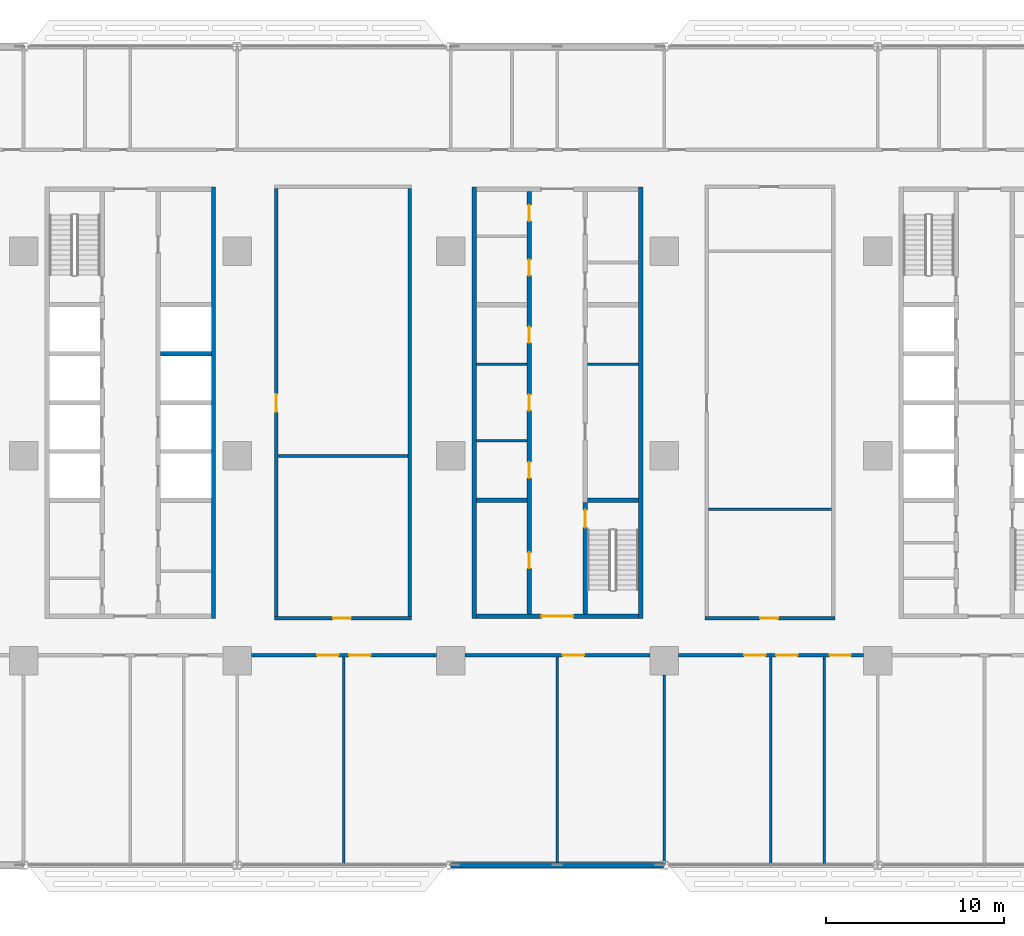
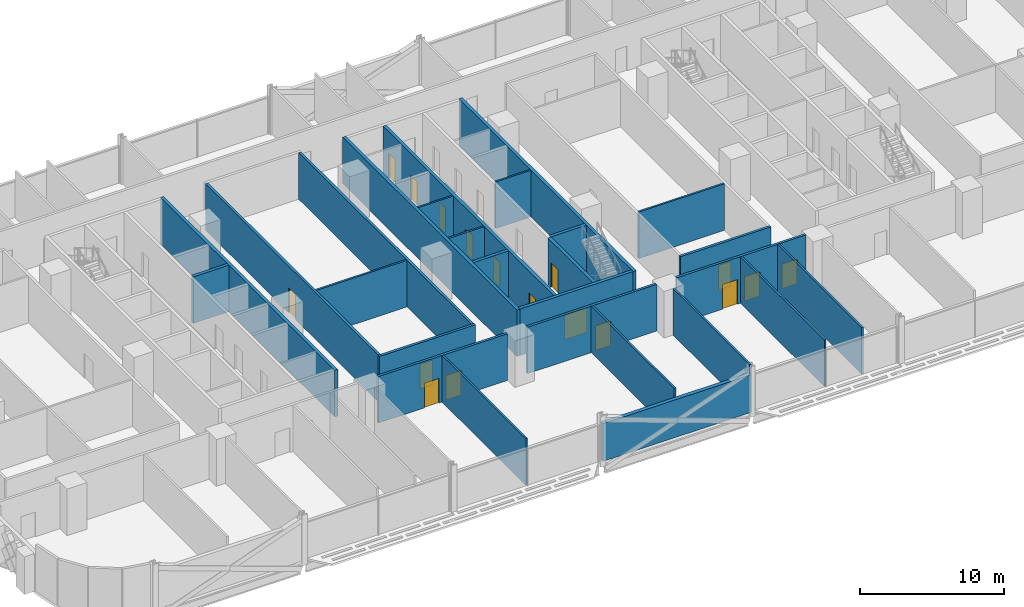
# One storey, part 11 of 29: 27 walls, 17 doors, 17 openings.
"""IFC4 building model written with IfcOpenShell, lengths in metres."""

from ifc_helpers import new_model, si_unit, direction, frame, frame_2d, origin, place, context, subcontext, project, spatial, rectangle, extrude, material, layer, layer_set, type_object, element, fill, save


model = new_model("IFC4")

# Units and contexts
model_context = context("Model", 3, precision=1e-05, world=origin(), true_north=direction((0.0, 1.0)))
body_context = subcontext(model_context, "Body", "Model", "MODEL_VIEW")
ifc_project = project(units=[si_unit("LENGTHUNIT", "METRE"), si_unit("AREAUNIT", "SQUARE_METRE"), si_unit("VOLUMEUNIT", "CUBIC_METRE"), si_unit("PLANEANGLEUNIT", "RADIAN"), si_unit("MASSUNIT", "GRAM", prefix="KILO")], contexts=[model_context])

# Site, building, storey
site_placement = place(None, origin())
site = spatial("IfcSite", under=ifc_project, at=site_placement, CompositionType="ELEMENT")
building_placement = place(site_placement, origin())
building = spatial("IfcBuilding", under=site, at=building_placement, Name="Mahtab Terrace Research Tower", CompositionType="ELEMENT")
storey_placement = place(building_placement, frame((0.0, 0.0, 20.10009765625)))
storey = spatial("IfcBuildingStorey", under=building, at=storey_placement, Name="L04", CompositionType="ELEMENT", Elevation=20.10009765625)

# Walls
ifc_material_1 = material(Name="Gypsum board partition")
ifc_layer_1 = layer(ifc_material_1, 0.14990234375)
ifc_layer_set_1 = layer_set([ifc_layer_1], Name="Core partition 150")
wall_type_1 = type_object("IfcWallType", Name="Core partition 150", PredefinedType="PARTITIONING", material=ifc_layer_set_1)
for number, where, z_axis, x_axis, name in (
    (1, (-4.550048828125, 0.85009765625, 0.0), (0.0, 0.0, 1.0), (1.0, 0.0, 0.0), "Core wall B pWL-215"),
    (2, (-4.550048828125, 5.14990234375, 0.0), (0.0, 0.0, 1.0), (1.0, 0.0, 0.0), "Core wall B pWL215"),
    (3, (1.699951171875, 5.14990234375, 0.0), (0.0, 0.0, 1.0), (1.0, 0.0, 0.0), "Core wall B pEL215"),
):
    element("IfcWall", number, at=place(storey_placement, frame(where, z_axis=z_axis, x_axis=x_axis)), inside=storey, type_object=wall_type_1, Name=name, PredefinedType="PARTITIONING", context=body_context, shape_type="SweptSolid", body=[
        extrude(rectangle(XDim=2.85009765625, YDim=0.14990234375, at=frame_2d((1.425048828125, 0.0))), origin(), (0.0, 0.0, 1.0), 3.9599609375),
    ])
ifc_material_2 = material(Name="Concrete C70/85", Category="concrete")
ifc_layer_2 = layer(ifc_material_2, 0.25)
ifc_layer_set_2 = layer_set([ifc_layer_2], Name="Core wall 250")
wall_type_2 = type_object("IfcWallType", Name="Core wall 250", PredefinedType="SOLIDWALL", material=ifc_layer_set_2)
wall_1_placement = place(storey_placement, frame((-19.324951171875, -9.125, 0.0), z_axis=(0.0, 0.0, 1.0), x_axis=(0.0, 1.0, 0.0)))
element("IfcWall", 4, at=wall_1_placement, inside=storey, type_object=wall_type_2, Name="Core wall A outerE", PredefinedType="SOLIDWALL", context=body_context, shape_type="SweptSolid", body=[
    extrude(rectangle(XDim=24.25, YDim=0.25, at=frame_2d((12.125, 0.0))), origin(), (0.0, 0.0, 1.0), 3.9599609375),
])
wall_2_placement = place(storey_placement, frame((-22.300048828125, 5.75, 0.0), z_axis=(0.0, 0.0, 1.0), x_axis=(1.0, 0.0, 0.0)))
element("IfcWall", 5, at=wall_2_placement, inside=storey, type_object=wall_type_2, Name="Core wall A divE3", PredefinedType="SOLIDWALL", context=body_context, shape_type="SweptSolid", body=[
    extrude(rectangle(XDim=2.85009765625, YDim=0.25, at=frame_2d((1.425048828125, 0.0))), origin(), (0.0, 0.0, 1.0), 3.9599609375),
])
for number, where, z_axis, x_axis, name in (
    (6, (-4.675048828125, 15.125, 0.0), (0.0, 0.0, 1.0), (0.0, -1.0, 0.0), "Core wall B outerW"),
    (7, (4.675048828125, -9.125, 0.0), (0.0, 0.0, 1.0), (0.0, 1.0, 0.0), "Core wall B outerE"),
):
    element("IfcWall", number, at=place(storey_placement, frame(where, z_axis=z_axis, x_axis=x_axis)), inside=storey, type_object=wall_type_2, Name=name, PredefinedType="SOLIDWALL", context=body_context, shape_type="SweptSolid", body=[
        extrude(rectangle(XDim=24.25, YDim=0.25, at=frame_2d((12.125, 0.0))), origin(), (0.0, 0.0, 1.0), 3.9599609375),
    ])

# Wall, opening, door
wall_3_placement = place(storey_placement, frame((4.550048828125, -9.0, 0.0), z_axis=(0.0, 0.0, 1.0), x_axis=(-1.0, 0.0, 0.0)))
wall_3 = element("IfcWall", 8, at=wall_3_placement, inside=storey, type_object=wall_type_2, Name="Core wall B endS", PredefinedType="SOLIDWALL", context=body_context, shape_type="SweptSolid", body=[
    extrude(rectangle(XDim=9.10009765625, YDim=0.25, at=frame_2d((4.550048828125, 0.0))), origin(), (0.0, 0.0, 1.0), 3.9599609375),
])
opening_1_placement = place(wall_3_placement, frame((3.64990234375, 0.0, 0.0)))
opening_1 = element("IfcOpeningElement", 9, at=opening_1_placement, cuts=wall_3, Name="Opening B-S1", PredefinedType="OPENING", context=body_context, shape_type="SweptSolid", body=[
    extrude(rectangle(XDim=1.800048828125, YDim=2.10009765625, at=frame_2d((0.89990234375, 1.050048828125))), frame((0.0, 0.135009765625, 0.0), z_axis=(0.0, -1.0, 0.0), x_axis=(1.0, 0.0, 0.0)), (0.0, 0.0, 1.0), 0.27001953125),
])
ifc_material_3 = material(Name="Steel fire door", Category="steel")
door_type_1 = type_object("IfcDoorType", Name="Lobby double door 1800x2100 1 HR", OperationType="DOUBLE_DOOR_SINGLE_SWING", PredefinedType="DOOR", material=ifc_material_3)
door_1_placement = place(opening_1_placement, origin())
door_1 = element("IfcDoor", 10, at=door_1_placement, inside=storey, type_object=door_type_1, Name="Core entrance door B S", OperationType="DOUBLE_DOOR_SINGLE_SWING", OverallHeight=2.10009765625, OverallWidth=1.800048828125, PredefinedType="DOOR", context=body_context, shape_type="SweptSolid", body=[
    extrude(rectangle(XDim=1.800048828125, YDim=2.10009765625, at=frame_2d((0.89990234375, 1.050048828125))), frame((0.0, 0.02490234375, 0.0), z_axis=(0.0, -1.0, 0.0), x_axis=(1.0, 0.0, 0.0)), (0.0, 0.0, 1.0), 0.050048828125),
])
fill(opening_1, door_1)

# Wall, openings, doors
wall_4_placement = place(storey_placement, frame((-1.574951171875, -8.875, 0.0), z_axis=(0.0, 0.0, 1.0), x_axis=(0.0, 1.0, 0.0)))
wall_4 = element("IfcWall", 11, at=wall_4_placement, inside=storey, type_object=wall_type_2, Name="Core wall B innerWSLN", PredefinedType="SOLIDWALL", context=body_context, shape_type="SweptSolid", body=[
    extrude(rectangle(XDim=23.75, YDim=0.25, at=frame_2d((11.875, 0.0))), origin(), (0.0, 0.0, 1.0), 3.9599609375),
])
opening_2_placement = place(wall_4_placement, frame((7.625, 0.0, 0.0)))
opening_2 = element("IfcOpeningElement", 12, at=opening_2_placement, cuts=wall_4, Name="Opening B-R1", PredefinedType="OPENING", context=body_context, shape_type="SweptSolid", body=[
    extrude(rectangle(XDim=0.89990234375, YDim=2.10009765625, at=frame_2d((0.449951171875, 1.050048828125))), frame((0.0, 0.135009765625, 0.0), z_axis=(0.0, -1.0, 0.0), x_axis=(1.0, 0.0, 0.0)), (0.0, 0.0, 1.0), 0.27001953125),
])
opening_3_placement = place(wall_4_placement, frame((11.425048828125, 0.0, 0.0)))
opening_3 = element("IfcOpeningElement", 13, at=opening_3_placement, cuts=wall_4, Name="Opening B-R2", PredefinedType="OPENING", context=body_context, shape_type="SweptSolid", body=[
    extrude(rectangle(XDim=0.89990234375, YDim=2.10009765625, at=frame_2d((0.449951171875, 1.050048828125))), frame((0.0, 0.135009765625, 0.0), z_axis=(0.0, -1.0, 0.0), x_axis=(1.0, 0.0, 0.0)), (0.0, 0.0, 1.0), 0.27001953125),
])
opening_4_placement = place(wall_4_placement, frame((15.22509765625, 0.0, 0.0)))
opening_4 = element("IfcOpeningElement", 14, at=opening_4_placement, cuts=wall_4, Name="Opening B-R3", PredefinedType="OPENING", context=body_context, shape_type="SweptSolid", body=[
    extrude(rectangle(XDim=0.89990234375, YDim=2.10009765625, at=frame_2d((0.449951171875, 1.050048828125))), frame((0.0, 0.135009765625, 0.0), z_axis=(0.0, -1.0, 0.0), x_axis=(1.0, 0.0, 0.0)), (0.0, 0.0, 1.0), 0.27001953125),
])
opening_5_placement = place(wall_4_placement, frame((2.550048828125, 0.0, 0.0)))
opening_5 = element("IfcOpeningElement", 15, at=opening_5_placement, cuts=wall_4, Name="Opening B-R6", PredefinedType="OPENING", context=body_context, shape_type="SweptSolid", body=[
    extrude(rectangle(XDim=0.89990234375, YDim=2.10009765625, at=frame_2d((0.449951171875, 1.050048828125))), frame((0.0, 0.135009765625, 0.0), z_axis=(0.0, -1.0, 0.0), x_axis=(1.0, 0.0, 0.0)), (0.0, 0.0, 1.0), 0.27001953125),
])
opening_6_placement = place(wall_4_placement, frame((19.00244140625, 0.0, 0.0)))
opening_6 = element("IfcOpeningElement", 16, at=opening_6_placement, cuts=wall_4, Name="Opening B-R7", PredefinedType="OPENING", context=body_context, shape_type="SweptSolid", body=[
    extrude(rectangle(XDim=0.89990234375, YDim=2.10009765625, at=frame_2d((0.449951171875, 1.050048828125))), frame((0.0, 0.135009765625, 0.0), z_axis=(0.0, -1.0, 0.0), x_axis=(1.0, 0.0, 0.0)), (0.0, 0.0, 1.0), 0.27001953125),
])
opening_7_placement = place(wall_4_placement, frame((22.077392578125, 0.0, 0.0)))
opening_7 = element("IfcOpeningElement", 17, at=opening_7_placement, cuts=wall_4, Name="Opening B-R8", PredefinedType="OPENING", context=body_context, shape_type="SweptSolid", body=[
    extrude(rectangle(XDim=0.89990234375, YDim=2.10009765625, at=frame_2d((0.449951171875, 1.050048828125))), frame((0.0, 0.135009765625, 0.0), z_axis=(0.0, -1.0, 0.0), x_axis=(1.0, 0.0, 0.0)), (0.0, 0.0, 1.0), 0.27001953125),
])
door_type_2 = type_object("IfcDoorType", Name="Room door 900x2100 1 HR", OperationType="NOTDEFINED", PredefinedType="DOOR", material=ifc_material_3)
door_2_placement = place(opening_2_placement, origin())
door_2 = element("IfcDoor", 18, at=door_2_placement, inside=storey, type_object=door_type_2, Name="Electrical room door", OperationType="SINGLE_SWING_LEFT", OverallHeight=2.10009765625, OverallWidth=0.89990234375, PredefinedType="DOOR", context=body_context, shape_type="SweptSolid", body=[
    extrude(rectangle(XDim=0.89990234375, YDim=2.10009765625, at=frame_2d((0.449951171875, 1.050048828125))), frame((0.0, 0.02490234375, 0.0), z_axis=(0.0, -1.0, 0.0), x_axis=(1.0, 0.0, 0.0)), (0.0, 0.0, 1.0), 0.050048828125),
])
fill(opening_2, door_2)
door_3_placement = place(opening_3_placement, origin())
door_3 = element("IfcDoor", 19, at=door_3_placement, inside=storey, type_object=door_type_2, Name="Pantry door", OperationType="SINGLE_SWING_RIGHT", OverallHeight=2.10009765625, OverallWidth=0.89990234375, PredefinedType="DOOR", context=body_context, shape_type="SweptSolid", body=[
    extrude(rectangle(XDim=0.89990234375, YDim=2.10009765625, at=frame_2d((0.449951171875, 1.050048828125))), frame((0.0, 0.02490234375, 0.0), z_axis=(0.0, -1.0, 0.0), x_axis=(1.0, 0.0, 0.0)), (0.0, 0.0, 1.0), 0.050048828125),
])
fill(opening_3, door_3)
door_4_placement = place(opening_4_placement, origin())
door_4 = element("IfcDoor", 20, at=door_4_placement, inside=storey, type_object=door_type_2, Name="Housekeeping store door", OperationType="SINGLE_SWING_LEFT", OverallHeight=2.10009765625, OverallWidth=0.89990234375, PredefinedType="DOOR", context=body_context, shape_type="SweptSolid", body=[
    extrude(rectangle(XDim=0.89990234375, YDim=2.10009765625, at=frame_2d((0.449951171875, 1.050048828125))), frame((0.0, 0.02490234375, 0.0), z_axis=(0.0, -1.0, 0.0), x_axis=(1.0, 0.0, 0.0)), (0.0, 0.0, 1.0), 0.050048828125),
])
fill(opening_4, door_4)
door_5_placement = place(opening_5_placement, origin())
door_5 = element("IfcDoor", 21, at=door_5_placement, inside=storey, type_object=door_type_2, Name="Gas cylinder store door", OperationType="SINGLE_SWING_RIGHT", OverallHeight=2.10009765625, OverallWidth=0.89990234375, PredefinedType="DOOR", context=body_context, shape_type="SweptSolid", body=[
    extrude(rectangle(XDim=0.89990234375, YDim=2.10009765625, at=frame_2d((0.449951171875, 1.050048828125))), frame((0.0, 0.02490234375, 0.0), z_axis=(0.0, -1.0, 0.0), x_axis=(1.0, 0.0, 0.0)), (0.0, 0.0, 1.0), 0.050048828125),
])
fill(opening_5, door_5)
door_6_placement = place(opening_6_placement, origin())
door_6 = element("IfcDoor", 22, at=door_6_placement, inside=storey, type_object=door_type_2, Name="Pantry door", OperationType="SINGLE_SWING_LEFT", OverallHeight=2.10009765625, OverallWidth=0.89990234375, PredefinedType="DOOR", context=body_context, shape_type="SweptSolid", body=[
    extrude(rectangle(XDim=0.89990234375, YDim=2.10009765625, at=frame_2d((0.449951171875, 1.050048828125))), frame((0.0, 0.02490234375, 0.0), z_axis=(0.0, -1.0, 0.0), x_axis=(1.0, 0.0, 0.0)), (0.0, 0.0, 1.0), 0.050048828125),
])
fill(opening_6, door_6)
door_7_placement = place(opening_7_placement, origin())
door_7 = element("IfcDoor", 23, at=door_7_placement, inside=storey, type_object=door_type_2, Name="Linen store door", OperationType="SINGLE_SWING_RIGHT", OverallHeight=2.10009765625, OverallWidth=0.89990234375, PredefinedType="DOOR", context=body_context, shape_type="SweptSolid", body=[
    extrude(rectangle(XDim=0.89990234375, YDim=2.10009765625, at=frame_2d((0.449951171875, 1.050048828125))), frame((0.0, 0.02490234375, 0.0), z_axis=(0.0, -1.0, 0.0), x_axis=(1.0, 0.0, 0.0)), (0.0, 0.0, 1.0), 0.050048828125),
])
fill(opening_7, door_7)

# Wall, opening, door
wall_5_placement = place(storey_placement, frame((1.574951171875, -8.875, 0.0), z_axis=(0.0, 0.0, 1.0), x_axis=(0.0, 1.0, 0.0)))
wall_5 = element("IfcWall", 24, at=wall_5_placement, inside=storey, type_object=wall_type_2, Name="Core wall B innerES", PredefinedType="SOLIDWALL", context=body_context, shape_type="SweptSolid", body=[
    extrude(rectangle(XDim=6.25, YDim=0.25, at=frame_2d((3.125, 0.0))), origin(), (0.0, 0.0, 1.0), 3.9599609375),
])
opening_8_placement = place(wall_5_placement, frame((4.85009765625, 0.0, 0.0)))
opening_8 = element("IfcOpeningElement", 25, at=opening_8_placement, cuts=wall_5, Name="Opening B-ST2", PredefinedType="OPENING", context=body_context, shape_type="SweptSolid", body=[
    extrude(rectangle(XDim=1.0, YDim=2.10009765625, at=frame_2d((0.5, 1.050048828125))), frame((0.0, 0.135009765625, 0.0), z_axis=(0.0, -1.0, 0.0), x_axis=(1.0, 0.0, 0.0)), (0.0, 0.0, 1.0), 0.27001953125),
])
door_type_3 = type_object("IfcDoorType", Name="Stair door 1000x2100 1.5 HR", OperationType="NOTDEFINED", PredefinedType="DOOR", material=ifc_material_3)
door_8_placement = place(opening_8_placement, origin())
door_8 = element("IfcDoor", 26, at=door_8_placement, inside=storey, type_object=door_type_3, Name="Stair door ST2 L04", OperationType="SINGLE_SWING_LEFT", OverallHeight=2.10009765625, OverallWidth=1.0, PredefinedType="DOOR", context=body_context, shape_type="SweptSolid", body=[
    extrude(rectangle(XDim=1.0, YDim=2.10009765625, at=frame_2d((0.5, 1.050048828125))), frame((0.0, 0.02490234375, 0.0), z_axis=(0.0, -1.0, 0.0), x_axis=(1.0, 0.0, 0.0)), (0.0, 0.0, 1.0), 0.050048828125),
])
fill(opening_8, door_8)

# Walls
for number, where, z_axis, x_axis, name in (
    (27, (-4.550048828125, -2.5, 0.0), (0.0, 0.0, 1.0), (1.0, 0.0, 0.0), "Core wall B divW0"),
    (28, (1.699951171875, -2.5, 0.0), (0.0, 0.0, 1.0), (1.0, 0.0, 0.0), "Core wall B divE0"),
):
    element("IfcWall", number, at=place(storey_placement, frame(where, z_axis=z_axis, x_axis=x_axis)), inside=storey, type_object=wall_type_2, Name=name, PredefinedType="SOLIDWALL", context=body_context, shape_type="SweptSolid", body=[
        extrude(rectangle(XDim=2.85009765625, YDim=0.25, at=frame_2d((1.425048828125, 0.0))), origin(), (0.0, 0.0, 1.0), 3.9599609375),
    ])
ifc_material_4 = material(Name="Black aluminium cladding panel", Category="aluminium")
ifc_layer_3 = layer(ifc_material_4, 0.300048828125)
ifc_layer_set_3 = layer_set([ifc_layer_3], Name="Opaque facade wall 300")
wall_type_3 = type_object("IfcWallType", Name="Opaque facade wall 300", PredefinedType="NOTDEFINED", material=ifc_layer_set_3)
wall_6_placement = place(storey_placement, frame((-5.97216796875, -23.0, 0.0), z_axis=(0.0, 0.0, 1.0), x_axis=(1.0, 0.0, 0.0)))
element("IfcWall", 29, at=wall_6_placement, inside=storey, type_object=wall_type_3, Name="Opaque facade wall L04 S25", PredefinedType="NOTDEFINED", context=body_context, shape_type="SweptSolid", body=[
    extrude(rectangle(XDim=11.9443359375, YDim=0.300048828125, at=frame_2d((5.97216796875, 0.0))), origin(), (0.0, 0.0, 1.0), 3.202880859375),
])

# Wall, openings, doors
ifc_material_5 = material(Name="Gypsum board corridor wall on steel studs", Category="steel")
ifc_layer_4 = layer(ifc_material_5, 0.199951171875)
ifc_layer_set_4 = layer_set([ifc_layer_4], Name="WALL CORRIDOR 200")
wall_type_4 = type_object("IfcWallType", Name="WALL CORRIDOR 200", PredefinedType="PARTITIONING", material=ifc_layer_set_4)
wall_7_placement = place(storey_placement, frame((-17.199951171875, -11.199951171875, 0.0), z_axis=(0.0, 0.0, 1.0), x_axis=(1.0, 0.0, 0.0)))
wall_7 = element("IfcWall", 30, at=wall_7_placement, inside=storey, type_object=wall_type_4, Name="L04-W004", PredefinedType="PARTITIONING", context=body_context, shape_type="SweptSolid", body=[
    extrude(rectangle(XDim=10.39990234375, YDim=0.199951171875, at=frame_2d((5.199951171875, 0.0))), origin(), (0.0, 0.0, 1.0), 3.9599609375),
])
opening_9_placement = place(wall_7_placement, frame((3.699951171875, 0.0, 0.0)))
opening_9 = element("IfcOpeningElement", 31, at=opening_9_placement, cuts=wall_7, Name="Opening L04-106", PredefinedType="OPENING", context=body_context, shape_type="SweptSolid", body=[
    extrude(rectangle(XDim=1.199951171875, YDim=2.10009765625, at=frame_2d((0.60009765625, 1.050048828125))), frame((0.0, 0.10986328125, 0.0), z_axis=(0.0, -1.0, 0.0), x_axis=(1.0, 0.0, 0.0)), (0.0, 0.0, 1.0), 0.219970703125),
])
opening_10_placement = place(wall_7_placement, frame((5.5, 0.0, 0.0)))
opening_10 = element("IfcOpeningElement", 32, at=opening_10_placement, cuts=wall_7, Name="Opening L04-107", PredefinedType="OPENING", context=body_context, shape_type="SweptSolid", body=[
    extrude(rectangle(XDim=1.199951171875, YDim=2.10009765625, at=frame_2d((0.60009765625, 1.050048828125))), frame((0.0, 0.10986328125, 0.0), z_axis=(0.0, -1.0, 0.0), x_axis=(1.0, 0.0, 0.0)), (0.0, 0.0, 1.0), 0.219970703125),
])
ifc_material_6 = material(Name="Timber door leaf in steel frame", Category="steel")
door_type_4 = type_object("IfcDoorType", Name="DOOR 1200X2100 FD30S", OperationType="SINGLE_SWING_LEFT", PredefinedType="DOOR", material=ifc_material_6)
door_9_placement = place(opening_9_placement, origin())
door_9 = element("IfcDoor", 33, at=door_9_placement, inside=storey, type_object=door_type_4, Name="Door L04-106", OperationType="SINGLE_SWING_RIGHT", OverallHeight=2.10009765625, OverallWidth=1.199951171875, PredefinedType="DOOR", context=body_context, shape_type="SweptSolid", body=[
    extrude(rectangle(XDim=1.199951171875, YDim=2.10009765625, at=frame_2d((0.60009765625, 1.050048828125))), frame((0.0, 0.02490234375, 0.0), z_axis=(0.0, -1.0, 0.0), x_axis=(1.0, 0.0, 0.0)), (0.0, 0.0, 1.0), 0.050048828125),
])
fill(opening_9, door_9)
door_10_placement = place(opening_10_placement, origin())
door_10 = element("IfcDoor", 34, at=door_10_placement, inside=storey, type_object=door_type_4, Name="Door L04-107", OperationType="SINGLE_SWING_LEFT", OverallHeight=2.10009765625, OverallWidth=1.199951171875, PredefinedType="DOOR", context=body_context, shape_type="SweptSolid", body=[
    extrude(rectangle(XDim=1.199951171875, YDim=2.10009765625, at=frame_2d((0.60009765625, 1.050048828125))), frame((0.0, 0.02490234375, 0.0), z_axis=(0.0, -1.0, 0.0), x_axis=(1.0, 0.0, 0.0)), (0.0, 0.0, 1.0), 0.050048828125),
])
fill(opening_10, door_10)

# Wall, opening, door
wall_8_placement = place(storey_placement, frame((-5.199951171875, -11.199951171875, 0.0), z_axis=(0.0, 0.0, 1.0), x_axis=(1.0, 0.0, 0.0)))
wall_8 = element("IfcWall", 35, at=wall_8_placement, inside=storey, type_object=wall_type_4, Name="L04-W005", PredefinedType="PARTITIONING", context=body_context, shape_type="SweptSolid", body=[
    extrude(rectangle(XDim=10.39990234375, YDim=0.199951171875, at=frame_2d((5.199951171875, 0.0))), origin(), (0.0, 0.0, 1.0), 3.9599609375),
])
opening_11_placement = place(wall_8_placement, frame((5.5, 0.0, 0.0)))
opening_11 = element("IfcOpeningElement", 36, at=opening_11_placement, cuts=wall_8, Name="Opening L04-108", PredefinedType="OPENING", context=body_context, shape_type="SweptSolid", body=[
    extrude(rectangle(XDim=1.199951171875, YDim=2.10009765625, at=frame_2d((0.60009765625, 1.050048828125))), frame((0.0, 0.10986328125, 0.0), z_axis=(0.0, -1.0, 0.0), x_axis=(1.0, 0.0, 0.0)), (0.0, 0.0, 1.0), 0.219970703125),
])
door_11_placement = place(opening_11_placement, origin())
door_11 = element("IfcDoor", 37, at=door_11_placement, inside=storey, type_object=door_type_4, Name="Door L04-108", OperationType="SINGLE_SWING_LEFT", OverallHeight=2.10009765625, OverallWidth=1.199951171875, PredefinedType="DOOR", context=body_context, shape_type="SweptSolid", body=[
    extrude(rectangle(XDim=1.199951171875, YDim=2.10009765625, at=frame_2d((0.60009765625, 1.050048828125))), frame((0.0, 0.02490234375, 0.0), z_axis=(0.0, -1.0, 0.0), x_axis=(1.0, 0.0, 0.0)), (0.0, 0.0, 1.0), 0.050048828125),
])
fill(opening_11, door_11)

# Wall, openings, doors
wall_9_placement = place(storey_placement, frame((6.800048828125, -11.199951171875, 0.0), z_axis=(0.0, 0.0, 1.0), x_axis=(1.0, 0.0, 0.0)))
wall_9 = element("IfcWall", 38, at=wall_9_placement, inside=storey, type_object=wall_type_4, Name="L04-W006", PredefinedType="PARTITIONING", context=body_context, shape_type="SweptSolid", body=[
    extrude(rectangle(XDim=10.39990234375, YDim=0.199951171875, at=frame_2d((5.199951171875, 0.0))), origin(), (0.0, 0.0, 1.0), 3.9599609375),
])
opening_12_placement = place(wall_9_placement, frame((3.699951171875, 0.0, 0.0)))
opening_12 = element("IfcOpeningElement", 39, at=opening_12_placement, cuts=wall_9, Name="Opening L04-109", PredefinedType="OPENING", context=body_context, shape_type="SweptSolid", body=[
    extrude(rectangle(XDim=1.199951171875, YDim=2.10009765625, at=frame_2d((0.60009765625, 1.050048828125))), frame((0.0, 0.10986328125, 0.0), z_axis=(0.0, -1.0, 0.0), x_axis=(1.0, 0.0, 0.0)), (0.0, 0.0, 1.0), 0.219970703125),
])
opening_13_placement = place(wall_9_placement, frame((5.5, 0.0, 0.0)))
opening_13 = element("IfcOpeningElement", 40, at=opening_13_placement, cuts=wall_9, Name="Opening L04-110", PredefinedType="OPENING", context=body_context, shape_type="SweptSolid", body=[
    extrude(rectangle(XDim=1.199951171875, YDim=2.10009765625, at=frame_2d((0.60009765625, 1.050048828125))), frame((0.0, 0.10986328125, 0.0), z_axis=(0.0, -1.0, 0.0), x_axis=(1.0, 0.0, 0.0)), (0.0, 0.0, 1.0), 0.219970703125),
])
opening_14_placement = place(wall_9_placement, frame((8.5, 0.0, 0.0)))
opening_14 = element("IfcOpeningElement", 41, at=opening_14_placement, cuts=wall_9, Name="Opening L04-111", PredefinedType="OPENING", context=body_context, shape_type="SweptSolid", body=[
    extrude(rectangle(XDim=1.199951171875, YDim=2.10009765625, at=frame_2d((0.60009765625, 1.050048828125))), frame((0.0, 0.10986328125, 0.0), z_axis=(0.0, -1.0, 0.0), x_axis=(1.0, 0.0, 0.0)), (0.0, 0.0, 1.0), 0.219970703125),
])
door_12_placement = place(opening_12_placement, origin())
door_12 = element("IfcDoor", 42, at=door_12_placement, inside=storey, type_object=door_type_4, Name="Door L04-109", OperationType="SINGLE_SWING_RIGHT", OverallHeight=2.10009765625, OverallWidth=1.199951171875, PredefinedType="DOOR", context=body_context, shape_type="SweptSolid", body=[
    extrude(rectangle(XDim=1.199951171875, YDim=2.10009765625, at=frame_2d((0.60009765625, 1.050048828125))), frame((0.0, 0.02490234375, 0.0), z_axis=(0.0, -1.0, 0.0), x_axis=(1.0, 0.0, 0.0)), (0.0, 0.0, 1.0), 0.050048828125),
])
fill(opening_12, door_12)
door_13_placement = place(opening_13_placement, origin())
door_13 = element("IfcDoor", 43, at=door_13_placement, inside=storey, type_object=door_type_4, Name="Door L04-110", OperationType="SINGLE_SWING_LEFT", OverallHeight=2.10009765625, OverallWidth=1.199951171875, PredefinedType="DOOR", context=body_context, shape_type="SweptSolid", body=[
    extrude(rectangle(XDim=1.199951171875, YDim=2.10009765625, at=frame_2d((0.60009765625, 1.050048828125))), frame((0.0, 0.02490234375, 0.0), z_axis=(0.0, -1.0, 0.0), x_axis=(1.0, 0.0, 0.0)), (0.0, 0.0, 1.0), 0.050048828125),
])
fill(opening_13, door_13)
door_14_placement = place(opening_14_placement, origin())
door_14 = element("IfcDoor", 44, at=door_14_placement, inside=storey, type_object=door_type_4, Name="Door L04-111", OperationType="SINGLE_SWING_LEFT", OverallHeight=2.10009765625, OverallWidth=1.199951171875, PredefinedType="DOOR", context=body_context, shape_type="SweptSolid", body=[
    extrude(rectangle(XDim=1.199951171875, YDim=2.10009765625, at=frame_2d((0.60009765625, 1.050048828125))), frame((0.0, 0.02490234375, 0.0), z_axis=(0.0, -1.0, 0.0), x_axis=(1.0, 0.0, 0.0)), (0.0, 0.0, 1.0), 0.050048828125),
])
fill(opening_14, door_14)

# Wall, opening, door
wall_10_placement = place(storey_placement, frame((-15.89990234375, -9.125, 0.0), z_axis=(0.0, 0.0, 1.0), x_axis=(1.0, 0.0, 0.0)))
wall_10 = element("IfcWall", 45, at=wall_10_placement, inside=storey, type_object=wall_type_4, Name="L04-W011", PredefinedType="PARTITIONING", context=body_context, shape_type="SweptSolid", body=[
    extrude(rectangle(XDim=7.699951171875, YDim=0.199951171875, at=frame_2d((3.85009765625, 0.0))), origin(), (0.0, 0.0, 1.0), 3.9599609375),
])
opening_15_placement = place(wall_10_placement, frame((3.300048828125, 0.0, 0.0)))
opening_15 = element("IfcOpeningElement", 46, at=opening_15_placement, cuts=wall_10, Name="Opening L04-119", PredefinedType="OPENING", context=body_context, shape_type="SweptSolid", body=[
    extrude(rectangle(XDim=1.0, YDim=2.10009765625, at=frame_2d((0.5, 1.050048828125))), frame((0.0, 0.10986328125, 0.0), z_axis=(0.0, -1.0, 0.0), x_axis=(1.0, 0.0, 0.0)), (0.0, 0.0, 1.0), 0.219970703125),
])
door_type_5 = type_object("IfcDoorType", Name="DOOR 1000X2100 FD30S", OperationType="SINGLE_SWING_LEFT", PredefinedType="DOOR", material=ifc_material_6)
door_15_placement = place(opening_15_placement, origin())
door_15 = element("IfcDoor", 47, at=door_15_placement, inside=storey, type_object=door_type_5, Name="Door L04-119", OperationType="SINGLE_SWING_LEFT", OverallHeight=2.10009765625, OverallWidth=1.0, PredefinedType="DOOR", context=body_context, shape_type="SweptSolid", body=[
    extrude(rectangle(XDim=1.0, YDim=2.10009765625, at=frame_2d((0.5, 1.050048828125))), frame((0.0, 0.02490234375, 0.0), z_axis=(0.0, -1.0, 0.0), x_axis=(1.0, 0.0, 0.0)), (0.0, 0.0, 1.0), 0.050048828125),
])
fill(opening_15, door_15)

wall_11_placement = place(storey_placement, frame((8.300048828125, -9.125, 0.0), z_axis=(0.0, 0.0, 1.0), x_axis=(1.0, 0.0, 0.0)))
wall_11 = element("IfcWall", 48, at=wall_11_placement, inside=storey, type_object=wall_type_4, Name="L04-W012", PredefinedType="PARTITIONING", context=body_context, shape_type="SweptSolid", body=[
    extrude(rectangle(XDim=7.300048828125, YDim=0.199951171875, at=frame_2d((3.64990234375, 0.0))), origin(), (0.0, 0.0, 1.0), 3.9599609375),
])
opening_16_placement = place(wall_11_placement, frame((3.10009765625, 0.0, 0.0)))
opening_16 = element("IfcOpeningElement", 49, at=opening_16_placement, cuts=wall_11, Name="Opening L04-118", PredefinedType="OPENING", context=body_context, shape_type="SweptSolid", body=[
    extrude(rectangle(XDim=1.0, YDim=2.10009765625, at=frame_2d((0.5, 1.050048828125))), frame((0.0, 0.10986328125, 0.0), z_axis=(0.0, -1.0, 0.0), x_axis=(1.0, 0.0, 0.0)), (0.0, 0.0, 1.0), 0.219970703125),
])
door_16_placement = place(opening_16_placement, origin())
door_16 = element("IfcDoor", 50, at=door_16_placement, inside=storey, type_object=door_type_5, Name="Door L04-118", OperationType="SINGLE_SWING_LEFT", OverallHeight=2.10009765625, OverallWidth=1.0, PredefinedType="DOOR", context=body_context, shape_type="SweptSolid", body=[
    extrude(rectangle(XDim=1.0, YDim=2.10009765625, at=frame_2d((0.5, 1.050048828125))), frame((0.0, 0.02490234375, 0.0), z_axis=(0.0, -1.0, 0.0), x_axis=(1.0, 0.0, 0.0)), (0.0, 0.0, 1.0), 0.050048828125),
])
fill(opening_16, door_16)

wall_12_placement = place(storey_placement, frame((-15.800048828125, -9.02490234375, 0.0), z_axis=(0.0, 0.0, 1.0), x_axis=(0.0, 1.0, 0.0)))
wall_12 = element("IfcWall", 51, at=wall_12_placement, inside=storey, type_object=wall_type_4, Name="L04-W040", PredefinedType="PARTITIONING", context=body_context, shape_type="SweptSolid", body=[
    extrude(rectangle(XDim=24.0498046875, YDim=0.199951171875, at=frame_2d((12.02490234375, 0.0))), origin(), (0.0, 0.0, 1.0), 3.9599609375),
])
opening_17_placement = place(wall_12_placement, frame((11.5, 0.0, 0.0)))
opening_17 = element("IfcOpeningElement", 52, at=opening_17_placement, cuts=wall_12, Name="Opening L04-125", PredefinedType="OPENING", context=body_context, shape_type="SweptSolid", body=[
    extrude(rectangle(XDim=1.0, YDim=2.10009765625, at=frame_2d((0.5, 1.050048828125))), frame((0.0, 0.10986328125, 0.0), z_axis=(0.0, -1.0, 0.0), x_axis=(1.0, 0.0, 0.0)), (0.0, 0.0, 1.0), 0.219970703125),
])
door_17_placement = place(opening_17_placement, origin())
door_17 = element("IfcDoor", 53, at=door_17_placement, inside=storey, type_object=door_type_5, Name="Door L04-125", OperationType="SINGLE_SWING_RIGHT", OverallHeight=2.10009765625, OverallWidth=1.0, PredefinedType="DOOR", context=body_context, shape_type="SweptSolid", body=[
    extrude(rectangle(XDim=1.0, YDim=2.10009765625, at=frame_2d((0.5, 1.050048828125))), frame((0.0, 0.02490234375, 0.0), z_axis=(0.0, -1.0, 0.0), x_axis=(1.0, 0.0, 0.0)), (0.0, 0.0, 1.0), 0.050048828125),
])
fill(opening_17, door_17)

# Walls
wall_13_placement = place(storey_placement, frame((-8.300048828125, -9.02490234375, 0.0), z_axis=(0.0, 0.0, 1.0), x_axis=(0.0, 1.0, 0.0)))
element("IfcWall", 54, at=wall_13_placement, inside=storey, type_object=wall_type_4, Name="L04-W042", PredefinedType="PARTITIONING", context=body_context, shape_type="SweptSolid", body=[
    extrude(rectangle(XDim=24.0498046875, YDim=0.199951171875, at=frame_2d((12.02490234375, 0.0))), origin(), (0.0, 0.0, 1.0), 3.9599609375),
])
ifc_material_7 = material(Name="Gypsum board partition on steel studs", Category="steel")
ifc_layer_5 = layer(ifc_material_7, 0.14990234375)
ifc_layer_set_5 = layer_set([ifc_layer_5], Name="WALL PARTITION 150")
wall_type_5 = type_object("IfcWallType", Name="WALL PARTITION 150", PredefinedType="PARTITIONING", material=ifc_layer_set_5)
wall_14_placement = place(storey_placement, frame((8.5, -3.0, 0.0), z_axis=(0.0, 0.0, 1.0), x_axis=(1.0, 0.0, 0.0)))
element("IfcWall", 55, at=wall_14_placement, inside=storey, type_object=wall_type_5, Name="L04-W015", PredefinedType="PARTITIONING", context=body_context, shape_type="SweptSolid", body=[
    extrude(rectangle(XDim=6.89990234375, YDim=0.14990234375, at=frame_2d((3.449951171875, 0.0))), origin(), (0.0, 0.0, 1.0), 3.9599609375),
])
wall_15_placement = place(storey_placement, frame((-15.699951171875, 0.0, 0.0), z_axis=(0.0, 0.0, 1.0), x_axis=(1.0, 0.0, 0.0)))
element("IfcWall", 56, at=wall_15_placement, inside=storey, type_object=wall_type_5, Name="L04-W016", PredefinedType="PARTITIONING", context=body_context, shape_type="SweptSolid", body=[
    extrude(rectangle(XDim=7.300048828125, YDim=0.14990234375, at=frame_2d((3.64990234375, 0.0))), origin(), (0.0, 0.0, 1.0), 3.9599609375),
])
wall_16_placement = place(storey_placement, frame((-12.0, -22.97509765625, 0.0), z_axis=(0.0, 0.0, 1.0), x_axis=(0.0, 1.0, 0.0)))
element("IfcWall", 57, at=wall_16_placement, inside=storey, type_object=wall_type_5, Name="L04-W041", PredefinedType="PARTITIONING", context=body_context, shape_type="SweptSolid", body=[
    extrude(rectangle(XDim=11.675048828125, YDim=0.14990234375, at=frame_2d((5.83740234375, 0.0))), origin(), (0.0, 0.0, 1.0), 3.9599609375),
])
wall_17_placement = place(storey_placement, frame((0.0, -22.85009765625, 0.0), z_axis=(0.0, 0.0, 1.0), x_axis=(0.0, 1.0, 0.0)))
element("IfcWall", 58, at=wall_17_placement, inside=storey, type_object=wall_type_5, Name="L04-W045", PredefinedType="PARTITIONING", context=body_context, shape_type="SweptSolid", body=[
    extrude(rectangle(XDim=11.550048828125, YDim=0.14990234375, at=frame_2d((5.77490234375, 0.0))), origin(), (0.0, 0.0, 1.0), 3.9599609375),
])
wall_18_placement = place(storey_placement, frame((6.0, -22.97509765625, 0.0), z_axis=(0.0, 0.0, 1.0), x_axis=(0.0, 1.0, 0.0)))
element("IfcWall", 59, at=wall_18_placement, inside=storey, type_object=wall_type_5, Name="L04-W047", PredefinedType="PARTITIONING", context=body_context, shape_type="SweptSolid", body=[
    extrude(rectangle(XDim=10.675048828125, YDim=0.14990234375, at=frame_2d((5.33740234375, 0.0))), origin(), (0.0, 0.0, 1.0), 3.9599609375),
])
for number, where, z_axis, x_axis, name in (
    (60, (12.0, -22.97509765625, 0.0), (0.0, 0.0, 1.0), (0.0, 1.0, 0.0), "L04-W050"),
    (61, (15.0, -22.97509765625, 0.0), (0.0, 0.0, 1.0), (0.0, 1.0, 0.0), "L04-W051"),
):
    element("IfcWall", number, at=place(storey_placement, frame(where, z_axis=z_axis, x_axis=x_axis)), inside=storey, type_object=wall_type_5, Name=name, PredefinedType="PARTITIONING", context=body_context, shape_type="SweptSolid", body=[
        extrude(rectangle(XDim=11.675048828125, YDim=0.14990234375, at=frame_2d((5.83740234375, 0.0))), origin(), (0.0, 0.0, 1.0), 3.9599609375),
    ])

save(model, "model.ifc")
